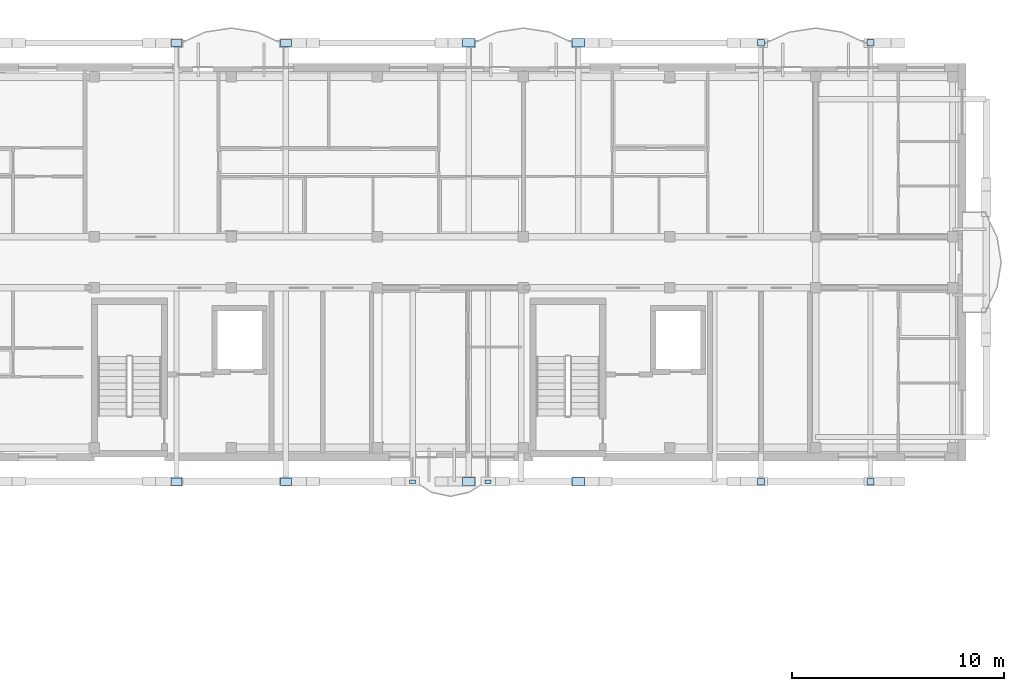
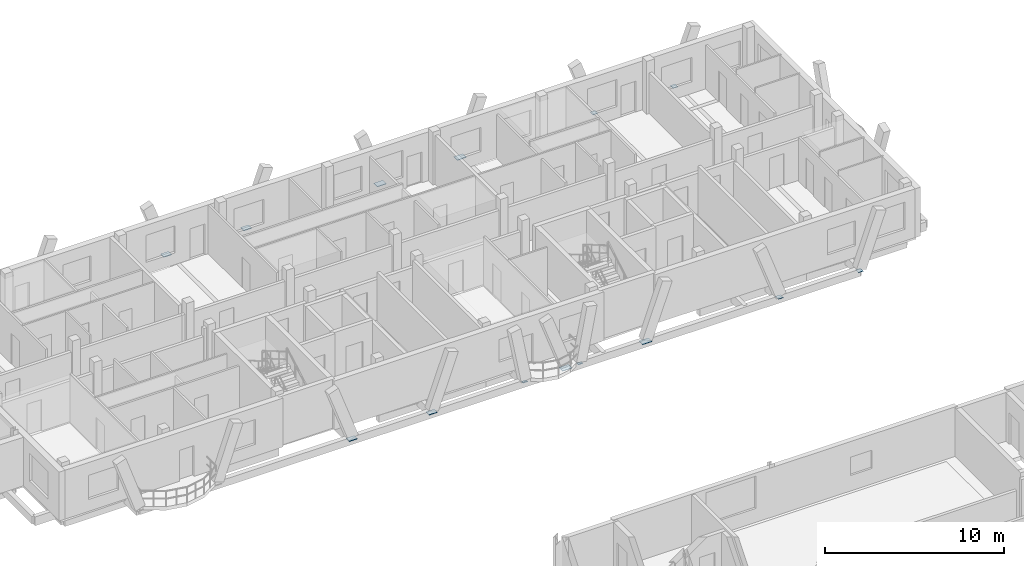
# One storey, part 140 of 189: 14 plates.
"""IFC4 building model written with IfcOpenShell, lengths in metres."""

from ifc_helpers import new_model, si_unit, direction, frame, origin, origin_2d, place, context, subcontext, project, spatial, rectangle, extrude, material, layer, layer_set, type_object, element, save


model = new_model("IFC4")

# Units and contexts
model_context = context("Model", 3, precision=1e-05, world=origin(), true_north=direction((0.0, 1.0)))
body_context = subcontext(model_context, "Body", "Model", "MODEL_VIEW")
ifc_project = project(units=[si_unit("LENGTHUNIT", "METRE"), si_unit("AREAUNIT", "SQUARE_METRE"), si_unit("VOLUMEUNIT", "CUBIC_METRE"), si_unit("PLANEANGLEUNIT", "RADIAN"), si_unit("MASSUNIT", "GRAM", prefix="KILO")], contexts=[model_context])

# Site, building, storey
site_placement = place(None, origin())
site = spatial("IfcSite", under=ifc_project, at=site_placement, CompositionType="ELEMENT")
building_placement = place(site_placement, origin())
building = spatial("IfcBuilding", under=site, at=building_placement, Name="Zavelmont Quarter", CompositionType="ELEMENT")
storey_placement = place(building_placement, frame((0.0, 0.0, 4.39990234375)))
storey = spatial("IfcBuildingStorey", under=building, at=storey_placement, Name="L01", CompositionType="ELEMENT", Elevation=4.39990234375)

# Plates
ifc_material = material(Name="Steel S355", Category="steel")
ifc_layer_1 = layer(ifc_material, 0.02001953125)
ifc_layer_set_1 = layer_set([ifc_layer_1], Name="Steel S355")
plate_type_1 = type_object("IfcPlateType", Name="NP01", PredefinedType="SHEET", material=ifc_layer_set_1)
for number, where, z_axis, x_axis, name in (
    (1, (142.072021484375, 96.43798828125, -0.2099609375), (0.0, 0.0, 1.0), (1.0, 0.0, 0.0), "L01 steel connection plate NP01 at 21/P"),
    (2, (145.628173828125, 96.43798828125, -0.2099609375), (0.0, 0.0, 1.0), (1.0, 0.0, 0.0), "L01 steel connection plate NP01 at 22/P"),
):
    element("IfcPlate", number, at=place(storey_placement, frame(where, z_axis=z_axis, x_axis=x_axis)), inside=storey, type_object=plate_type_1, Name=name, PredefinedType="SHEET", context=body_context, shape_type="SweptSolid", body=[
        extrude(rectangle(XDim=0.280029296875, YDim=0.179931640625, at=origin_2d()), origin(), (0.0, 0.0, 1.0), 0.02001953125),
    ])
ifc_layer_2 = layer(ifc_material, 0.028076171875)
ifc_layer_set_2 = layer_set([ifc_layer_2], Name="Steel S355")
plate_type_2 = type_object("IfcPlateType", Name="NP04", PredefinedType="SHEET", material=ifc_layer_set_2)
for number, where, z_axis, x_axis, name in (
    (3, (130.91796875, 117.162109375, -0.2138671875), (0.0, 0.0, 1.0), (1.0, 0.0, 0.0), "L01 steel connection plate NP04 at 20/S"),
    (4, (136.08203125, 117.162109375, -0.2138671875), (0.0, 0.0, 1.0), (1.0, 0.0, 0.0), "L01 steel connection plate NP04 at 20/S"),
    (5, (130.91796875, 96.43798828125, -0.2138671875), (0.0, 0.0, 1.0), (1.0, 0.0, 0.0), "L01 steel connection plate NP04 at 20/P"),
    (6, (136.08203125, 96.43798828125, -0.2138671875), (0.0, 0.0, 1.0), (1.0, 0.0, 0.0), "L01 steel connection plate NP04 at 20/P"),
):
    element("IfcPlate", number, at=place(storey_placement, frame(where, z_axis=z_axis, x_axis=x_axis)), inside=storey, type_object=plate_type_2, Name=name, PredefinedType="SHEET", context=body_context, shape_type="SweptSolid", body=[
        extrude(rectangle(XDim=0.52001953125, YDim=0.360107421875, at=origin_2d()), origin(), (0.0, 0.0, 1.0), 0.028076171875),
    ])
ifc_layer_3 = layer(ifc_material, 0.030029296875)
ifc_layer_set_3 = layer_set([ifc_layer_3], Name="Steel S355")
plate_type_3 = type_object("IfcPlateType", Name="NP05", PredefinedType="SHEET", material=ifc_layer_set_3)
for number, where, z_axis, x_axis, name in (
    (7, (144.718017578125, 117.162109375, -0.21484375), (0.0, 0.0, 1.0), (1.0, 0.0, 0.0), "L01 steel connection plate NP05 at 22/S"),
    (8, (149.882080078125, 117.162109375, -0.21484375), (0.0, 0.0, 1.0), (1.0, 0.0, 0.0), "L01 steel connection plate NP05 at 22/S"),
    (9, (144.718017578125, 96.43798828125, -0.21484375), (0.0, 0.0, 1.0), (1.0, 0.0, 0.0), "L01 steel connection plate NP05 at 22/P"),
    (10, (149.882080078125, 96.43798828125, -0.21484375), (0.0, 0.0, 1.0), (1.0, 0.0, 0.0), "L01 steel connection plate NP05 at 22/P"),
):
    element("IfcPlate", number, at=place(storey_placement, frame(where, z_axis=z_axis, x_axis=x_axis)), inside=storey, type_object=plate_type_3, Name=name, PredefinedType="SHEET", context=body_context, shape_type="SweptSolid", body=[
        extrude(rectangle(XDim=0.60009765625, YDim=0.39990234375, at=origin_2d()), origin(), (0.0, 0.0, 1.0), 0.030029296875),
    ])
ifc_layer_4 = layer(ifc_material, 0.02197265625)
ifc_layer_set_4 = layer_set([ifc_layer_4], Name="Steel S355")
plate_type_4 = type_object("IfcPlateType", Name="NP06", PredefinedType="SHEET", material=ifc_layer_set_4)
for number, where, z_axis, x_axis, name in (
    (11, (158.517822265625, 117.162109375, -0.2109375), (0.0, 0.0, 1.0), (1.0, 0.0, 0.0), "L01 steel connection plate NP06 at 24/S"),
    (12, (163.68212890625, 117.162109375, -0.2109375), (0.0, 0.0, 1.0), (1.0, 0.0, 0.0), "L01 steel connection plate NP06 at 24/S"),
    (13, (158.517822265625, 96.43798828125, -0.2109375), (0.0, 0.0, 1.0), (1.0, 0.0, 0.0), "L01 steel connection plate NP06 at 24/P"),
    (14, (163.68212890625, 96.43798828125, -0.2109375), (0.0, 0.0, 1.0), (1.0, 0.0, 0.0), "L01 steel connection plate NP06 at 24/P"),
):
    element("IfcPlate", number, at=place(storey_placement, frame(where, z_axis=z_axis, x_axis=x_axis)), inside=storey, type_object=plate_type_4, Name=name, PredefinedType="SHEET", context=body_context, shape_type="SweptSolid", body=[
        extrude(rectangle(XDim=0.320068359375, YDim=0.320068359375, at=origin_2d()), origin(), (0.0, 0.0, 1.0), 0.02197265625),
    ])

save(model, "model.ifc")
